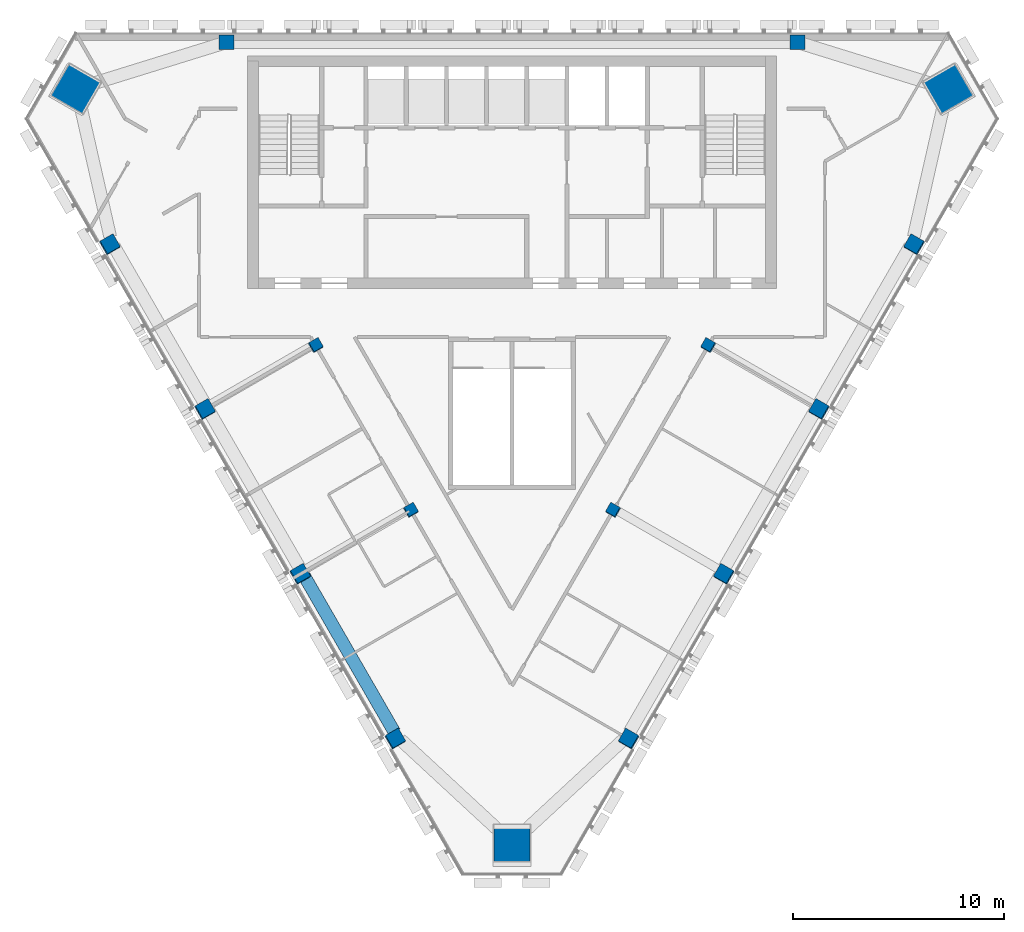
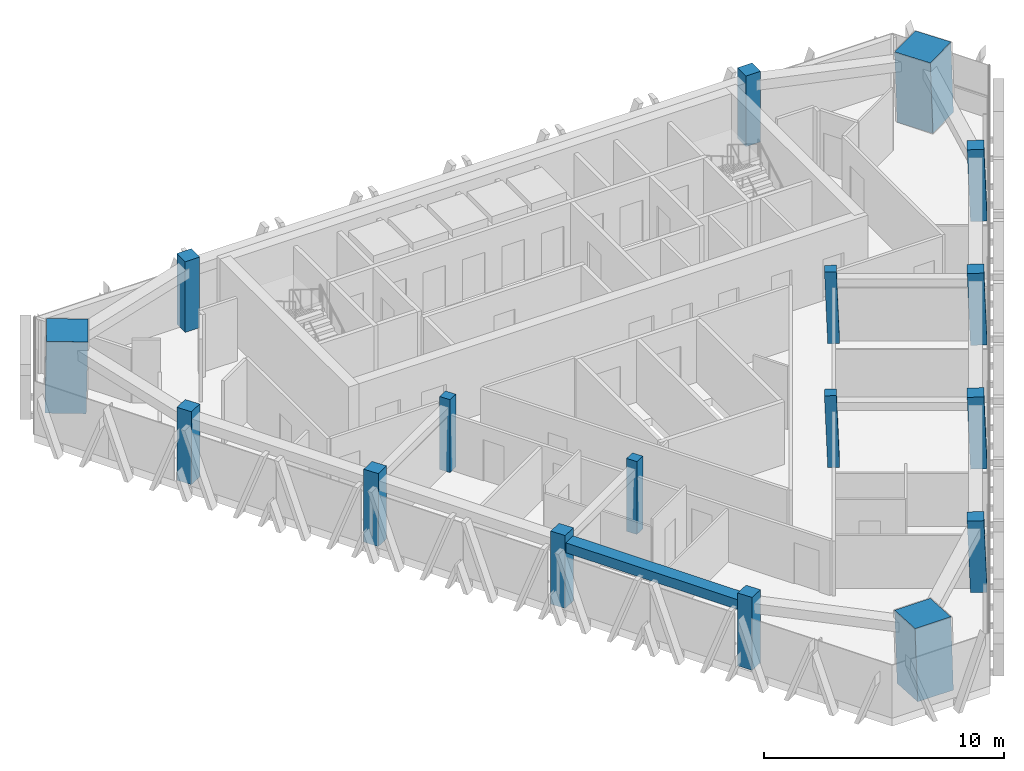
# One storey, part 1 of 12: 17 columns, 1 beam.
"""IFC4 building model written with IfcOpenShell, lengths in metres."""

from ifc_helpers import new_model, si_unit, direction, frame, origin, origin_2d, place, context, subcontext, project, spatial, rectangle, extrude, material, material_profile, profile_set, type_object, element, save


model = new_model("IFC4")

# Units and contexts
model_context = context("Model", 3, precision=1e-05, world=origin(), true_north=direction((0.0, 1.0)))
body_context = subcontext(model_context, "Body", "Model", "MODEL_VIEW")
ifc_project = project(units=[si_unit("LENGTHUNIT", "METRE"), si_unit("AREAUNIT", "SQUARE_METRE"), si_unit("VOLUMEUNIT", "CUBIC_METRE"), si_unit("PLANEANGLEUNIT", "RADIAN"), si_unit("MASSUNIT", "GRAM", prefix="KILO")], contexts=[model_context])

# Site, building, storey
site_placement = place(None, origin())
site = spatial("IfcSite", under=ifc_project, at=site_placement, CompositionType="ELEMENT")
building_placement = place(site_placement, origin())
building = spatial("IfcBuilding", under=site, at=building_placement, Name="Altiplano Prism Tower", CompositionType="ELEMENT")
storey_placement = place(building_placement, frame((0.0, 0.0, 275.199951171875)))
storey = spatial("IfcBuildingStorey", under=building, at=storey_placement, Name="L71", CompositionType="ELEMENT", Elevation=275.199951171875)

# Columns
ifc_material_1 = material(Name="Concrete C60/75", Category="concrete")
ifc_material_profile_1 = material_profile(ifc_material_1, rectangle(XDim=0.5, YDim=0.5, at=origin_2d()), Name="Inner column 500")
ifc_profile_set_1 = profile_set([ifc_material_profile_1], Name="Concrete C60/75")
column_type_1 = type_object("IfcColumnType", Name="Inner column 500", PredefinedType="COLUMN", material=ifc_profile_set_1)
for number, where, z_axis, x_axis, name in (
    (1, (75.70703125, 90.198486328125, -0.01513671875), (0.02222134892, 0.038480872521, 0.999012229206), (-0.865638275184, -0.499188786225, 0.038482882466), "Inner column I12 L71"),
    (2, (80.20703125, 82.404296875, -0.01513671875), (0.022221406801, 0.038413224561, 0.999014831351), (-0.866021380218, -0.498527772566, 0.0384321348), "Inner column I13 L71"),
    (3, (89.79296875, 82.404296875, -0.01513671875), (-0.022221406801, 0.038413224561, 0.999014831351), (-0.499512940858, -0.866022219206, 0.022188685317), "Inner column I22 L71"),
    (4, (94.29296875, 90.198486328125, -0.01513671875), (-0.02222134892, 0.038480872521, 0.999012229206), (-0.500176557016, -0.865638364536, 0.02221786792), "Inner column I23 L71"),
):
    element("IfcColumn", number, at=place(storey_placement, frame(where, z_axis=z_axis, x_axis=x_axis)), inside=storey, type_object=column_type_1, Name=name, PredefinedType="COLUMN", context=body_context, shape_type="SweptSolid", body=[
        extrude(rectangle(XDim=0.5, YDim=0.5, at=origin_2d()), origin(), (0.0, 0.0, 1.0), 3.603759765625),
    ])
ifc_material_2 = material(Name="Concrete C70/85", Category="concrete")
ifc_material_profile_2 = material_profile(ifc_material_2, rectangle(XDim=1.719970703125, YDim=1.719970703125, at=origin_2d()), Name="Mega column infill 1800")
ifc_profile_set_2 = profile_set([ifc_material_profile_2], Name="Concrete C70/85")
column_type_2 = type_object("IfcColumnType", Name="Mega column infill 1800", PredefinedType="COLUMN", material=ifc_profile_set_2)
column_1_placement = place(storey_placement, frame((64.302490234375, 102.317626953125, 0.0), z_axis=(0.028401796786, 0.009286506348, 0.999553449666), x_axis=(-0.866200461857, 0.499297311778, 0.019973841164)))
element("IfcColumn", 5, at=column_1_placement, inside=storey, type_object=column_type_2, Name="Mega column M0 L71", PredefinedType="COLUMN", context=body_context, shape_type="SweptSolid", body=[
    extrude(rectangle(XDim=1.719970703125, YDim=1.719970703125, at=origin_2d()), origin(), (0.0, 0.0, 1.0), 3.601806640625),
])
column_2_placement = place(storey_placement, frame((85.0, 66.468505859375, 0.0), z_axis=(0.0, 0.058356907999, 0.998295783467), x_axis=(-1.0, 0.0, 0.0)))
element("IfcColumn", 6, at=column_2_placement, inside=storey, type_object=column_type_2, Name="Mega column M1 L71", PredefinedType="COLUMN", context=body_context, shape_type="SweptSolid", body=[
    extrude(rectangle(XDim=1.719970703125, YDim=1.719970703125, at=origin_2d()), origin(), (0.0, 0.0, 1.0), 3.606201171875),
])
column_3_placement = place(storey_placement, frame((105.697509765625, 102.317626953125, 0.0), z_axis=(-0.028401796786, 0.009286506348, 0.999553449666), x_axis=(0.498883874229, -0.866383828461, 0.022224801831)))
element("IfcColumn", 7, at=column_3_placement, inside=storey, type_object=column_type_2, Name="Mega column M2 L71", PredefinedType="COLUMN", context=body_context, shape_type="SweptSolid", body=[
    extrude(rectangle(XDim=1.719970703125, YDim=1.719970703125, at=origin_2d()), origin(), (0.0, 0.0, 1.0), 3.601806640625),
])
ifc_material_profile_3 = material_profile(ifc_material_1, rectangle(XDim=0.699951171875, YDim=0.699951171875, at=origin_2d()), Name="Perimeter column 700")
ifc_profile_set_3 = profile_set([ifc_material_profile_3], Name="Concrete C60/75")
column_type_3 = type_object("IfcColumnType", Name="Perimeter column 700", PredefinedType="COLUMN", material=ifc_profile_set_3)
for number, where, z_axis, x_axis, name in (
    (8, (98.5, 104.550048828125, 0.0), (0.0, 0.0, 1.0), (1.0, 0.0, 0.0), "Perimeter column P01 L71"),
    (9, (71.5, 104.550048828125, 0.0), (0.0, 0.0, 1.0), (1.0, 0.0, 0.0), "Perimeter column P04 L71"),
):
    element("IfcColumn", number, at=place(storey_placement, frame(where, z_axis=z_axis, x_axis=x_axis)), inside=storey, type_object=column_type_3, Name=name, PredefinedType="COLUMN", context=body_context, shape_type="SweptSolid", body=[
        extrude(rectangle(XDim=0.699951171875, YDim=0.699951171875, at=origin_2d()), origin(), (0.0, 0.0, 1.0), 3.60009765625),
    ])
for number, where, z_axis, x_axis, name in (
    (10, (65.967529296875, 94.967529296875, -0.021240234375), (0.022221406801, 0.038413224561, 0.999014831351), (-0.8660213715, -0.498527787681, 0.038432135187), "Perimeter column P11 L71"),
    (11, (70.467529296875, 87.17333984375, -0.021240234375), (0.022221406801, 0.038413224561, 0.999014831351), (-0.866020246857, -0.498529737507, 0.038432185144), "Perimeter column P12 L71"),
    (12, (74.967529296875, 79.379150390625, -0.021240234375), (0.022221406801, 0.038413224561, 0.999014831351), (-0.866021388936, -0.498527757451, 0.038432134412), "Perimeter column P13 L71"),
    (13, (79.467529296875, 71.584716796875, -0.021240234375), (0.02222134892, 0.038480872521, 0.999012229206), (-0.865640972658, -0.499184117772, 0.038482762642), "Perimeter column P14 L71"),
    (14, (90.532470703125, 71.584716796875, -0.021240234375), (-0.02222134892, 0.038480872521, 0.999012229206), (-0.500171888563, -0.865641056683, 0.022218075461), "Perimeter column P21 L71"),
    (15, (95.032470703125, 79.379150390625, -0.021240234375), (-0.022221406801, 0.038413224561, 0.999014831351), (-0.499512925744, -0.866022227907, 0.022188685988), "Perimeter column P22 L71"),
    (16, (99.532470703125, 87.17333984375, -0.021240234375), (-0.022221406801, 0.038413224561, 0.999014831351), (-0.499514905797, -0.86602108808, 0.022188598117), "Perimeter column P23 L71"),
    (17, (104.032470703125, 94.967529296875, -0.021240234375), (-0.022221406801, 0.038413224561, 0.999014831351), (-0.499512955973, -0.866022210505, 0.022188684646), "Perimeter column P24 L71"),
):
    element("IfcColumn", number, at=place(storey_placement, frame(where, z_axis=z_axis, x_axis=x_axis)), inside=storey, type_object=column_type_3, Name=name, PredefinedType="COLUMN", context=body_context, shape_type="SweptSolid", body=[
        extrude(rectangle(XDim=0.699951171875, YDim=0.699951171875, at=origin_2d()), origin(), (0.0, 0.0, 1.0), 3.603759765625),
    ])

# Beam
ifc_material_profile_4 = material_profile(ifc_material_1, rectangle(XDim=0.60009765625, YDim=0.5, at=origin_2d()), Name="Edge beam 600x500")
ifc_profile_set_4 = profile_set([ifc_material_profile_4], Name="Concrete C60/75")
beam_type = type_object("IfcBeamType", Name="Edge beam 600x500", PredefinedType="SPANDREL", material=ifc_profile_set_4)
beam_placement = place(storey_placement, frame((75.1630859375, 79.3193359375, 2.949951171875), z_axis=(0.499994660107, -0.866028486751, 0.0), x_axis=(0.866028486751, 0.499994660107, 0.0)))
element("IfcBeam", 18, at=beam_placement, inside=storey, type_object=beam_type, Name="Edge beam P13-P14 L72", PredefinedType="SPANDREL", context=body_context, shape_type="SweptSolid", body=[
    extrude(rectangle(XDim=0.60009765625, YDim=0.5, at=origin_2d()), origin(), (0.0, 0.0, 1.0), 8.5400390625),
])

save(model, "model.ifc")
